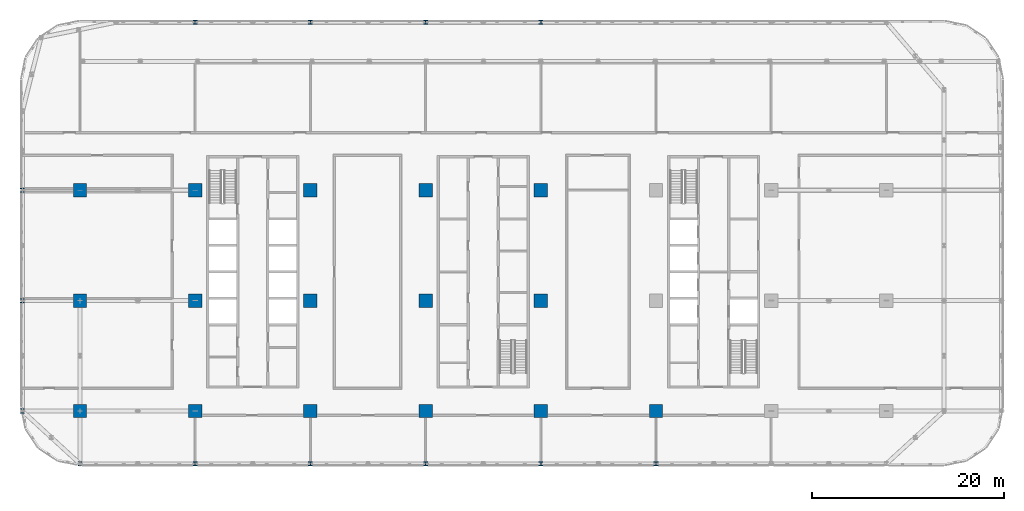
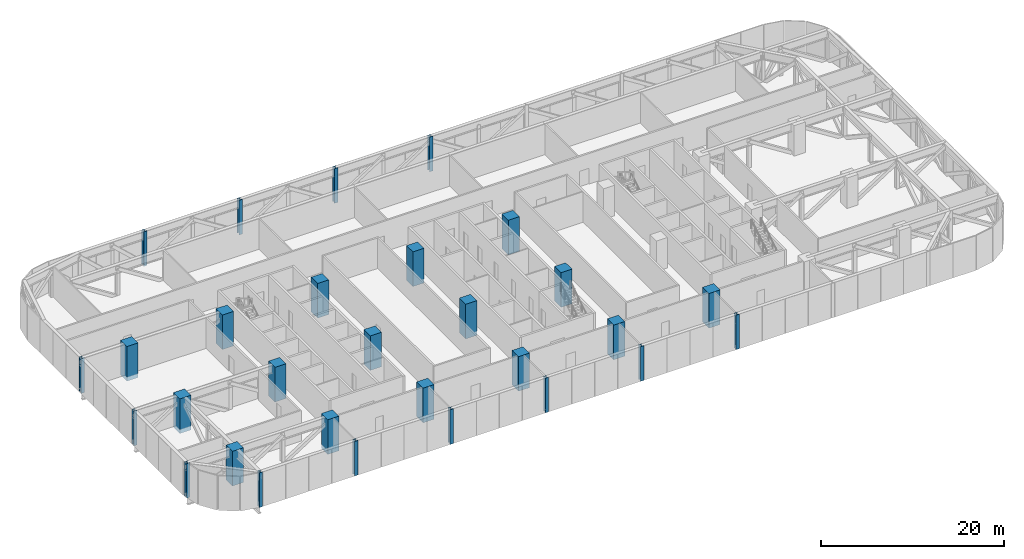
# One storey, part 1 of 26: 29 columns.
"""IFC4 building model written with IfcOpenShell, lengths in metres."""

from ifc_helpers import new_model, si_unit, direction, frame, origin, origin_2d, place, context, subcontext, project, spatial, rectangle, i_section, extrude, material, material_profile, profile_set, type_object, element, save


model = new_model("IFC4")

# Units and contexts
model_context = context("Model", 3, precision=1e-05, world=origin(), true_north=direction((0.0, 1.0)))
body_context = subcontext(model_context, "Body", "Model", "MODEL_VIEW")
ifc_project = project(units=[si_unit("LENGTHUNIT", "METRE"), si_unit("AREAUNIT", "SQUARE_METRE"), si_unit("VOLUMEUNIT", "CUBIC_METRE"), si_unit("PLANEANGLEUNIT", "RADIAN"), si_unit("MASSUNIT", "GRAM", prefix="KILO")], contexts=[model_context])

# Site, building, storey
site_placement = place(None, origin())
site = spatial("IfcSite", under=ifc_project, at=site_placement, CompositionType="ELEMENT")
building_placement = place(site_placement, origin())
building = spatial("IfcBuilding", under=site, at=building_placement, Name="Mahtab Terrace Research Tower", CompositionType="ELEMENT")
storey_placement = place(building_placement, frame((0.0, 0.0, 117.60009765625)))
storey = spatial("IfcBuildingStorey", under=building, at=storey_placement, Name="L27", CompositionType="ELEMENT", Elevation=117.60009765625)

# Columns
ifc_material_1 = material(Name="Concrete C70/85", Category="concrete")
ifc_material_profile_1 = material_profile(ifc_material_1, rectangle(XDim=1.39990234375, YDim=1.39990234375, at=origin_2d()), Name="RC column 1400x1400")
ifc_profile_set_1 = profile_set([ifc_material_profile_1], Name="Concrete C70/85")
column_type_1 = type_object("IfcColumnType", Name="RC column 1400x1400", PredefinedType="COLUMN", material=ifc_profile_set_1)
for number, where, z_axis, x_axis, name in (
    (1, (-42.0, -11.5, -0.550048828125), (0.0, 0.0, 1.0), (1.0, 0.0, 0.0), "Column RC-1A L27"),
    (2, (-42.0, 0.0, -0.550048828125), (0.0, 0.0, 1.0), (1.0, 0.0, 0.0), "Column RC-1B L27"),
    (3, (-42.0, 11.5, -0.550048828125), (0.0, 0.0, 1.0), (1.0, 0.0, 0.0), "Column RC-1C L27"),
    (4, (-30.0, -11.5, -0.550048828125), (0.0, 0.0, 1.0), (1.0, 0.0, 0.0), "Column RC-2A L27"),
    (5, (-30.0, 0.0, -0.550048828125), (0.0, 0.0, 1.0), (1.0, 0.0, 0.0), "Column RC-2B L27"),
    (6, (-30.0, 11.5, -0.550048828125), (0.0, 0.0, 1.0), (1.0, 0.0, 0.0), "Column RC-2C L27"),
    (7, (-18.0, -11.5, -0.550048828125), (0.0, 0.0, 1.0), (1.0, 0.0, 0.0), "Column RC-3A L27"),
    (8, (-18.0, 0.0, -0.550048828125), (0.0, 0.0, 1.0), (1.0, 0.0, 0.0), "Column RC-3B L27"),
    (9, (-18.0, 11.5, -0.550048828125), (0.0, 0.0, 1.0), (1.0, 0.0, 0.0), "Column RC-3C L27"),
    (10, (-6.0, -11.5, -0.550048828125), (0.0, 0.0, 1.0), (1.0, 0.0, 0.0), "Column RC-4A L27"),
    (11, (-6.0, 0.0, -0.550048828125), (0.0, 0.0, 1.0), (1.0, 0.0, 0.0), "Column RC-4B L27"),
    (12, (-6.0, 11.5, -0.550048828125), (0.0, 0.0, 1.0), (1.0, 0.0, 0.0), "Column RC-4C L27"),
    (13, (6.0, -11.5, -0.550048828125), (0.0, 0.0, 1.0), (1.0, 0.0, 0.0), "Column RC-5A L27"),
    (14, (6.0, 0.0, -0.550048828125), (0.0, 0.0, 1.0), (1.0, 0.0, 0.0), "Column RC-5B L27"),
    (15, (6.0, 11.5, -0.550048828125), (0.0, 0.0, 1.0), (1.0, 0.0, 0.0), "Column RC-5C L27"),
    (16, (18.0, -11.5, -0.550048828125), (0.0, 0.0, 1.0), (1.0, 0.0, 0.0), "Column RC-6A L27"),
):
    element("IfcColumn", number, at=place(storey_placement, frame(where, z_axis=z_axis, x_axis=x_axis)), inside=storey, type_object=column_type_1, Name=name, PredefinedType="COLUMN", context=body_context, shape_type="SweptSolid", body=[
        extrude(rectangle(XDim=1.39990234375, YDim=1.39990234375, at=origin_2d()), origin(), (0.0, 0.0, 1.0), 4.60986328125),
    ])
ifc_material_2 = material(Name="Steel ASTM A992 Gr 50", Category="steel")
ifc_material_profile_2 = material_profile(ifc_material_2, i_section(OverallWidth=0.41162109375, OverallDepth=0.434326171875, WebThickness=0.035888671875, FlangeThickness=0.057373046875, at=origin_2d()), Name="W14X311")
ifc_profile_set_2 = profile_set([ifc_material_profile_2], Name="Steel ASTM A992 Gr 50")
column_type_2 = type_object("IfcColumnType", Name="W14x311 column CS14311", PredefinedType="COLUMN", material=ifc_profile_set_2)
for number, where, z_axis, x_axis, name in (
    (17, (-48.0, 11.5, -0.550048828125), (0.0, 0.0, 1.0), (1.0, 0.0, 0.0), "Column SC-009 L27"),
    (18, (-48.0, 0.0, -0.550048828125), (0.0, 0.0, 1.0), (1.0, 0.0, 0.0), "Column SC-010 L27"),
    (19, (-48.0, -11.5, -0.550048828125), (0.0, 0.0, 1.0), (1.0, 0.0, 0.0), "Column SC-011 L27"),
    (20, (-42.0, -17.0, -0.550048828125), (0.0, 0.0, 1.0), (1.0, 0.0, 0.0), "Column SC-049 L27"),
):
    element("IfcColumn", number, at=place(storey_placement, frame(where, z_axis=z_axis, x_axis=x_axis)), inside=storey, type_object=column_type_2, Name=name, PredefinedType="COLUMN", context=body_context, shape_type="SweptSolid", body=[
        extrude(i_section(OverallWidth=0.41162109375, OverallDepth=0.434326171875, WebThickness=0.035888671875, FlangeThickness=0.057373046875, at=origin_2d()), origin(), (0.0, 0.0, 1.0), 4.60986328125),
    ])
ifc_material_profile_3 = material_profile(ifc_material_2, i_section(OverallWidth=0.419189453125, OverallDepth=0.45458984375, WebThickness=0.042236328125, FlangeThickness=0.067626953125, at=origin_2d()), Name="W14X370")
ifc_profile_set_3 = profile_set([ifc_material_profile_3], Name="Steel ASTM A992 Gr 50")
column_type_3 = type_object("IfcColumnType", Name="W14x370 column CS14370", PredefinedType="COLUMN", material=ifc_profile_set_3)
for number, where, z_axis, x_axis, name in (
    (21, (6.0, 29.0, -0.550048828125), (0.0, 0.0, 1.0), (1.0, 0.0, 0.0), "Column SC-034 L27"),
    (22, (-6.0, 29.0, -0.550048828125), (0.0, 0.0, 1.0), (1.0, 0.0, 0.0), "Column SC-035 L27"),
    (23, (-18.0, 29.0, -0.550048828125), (0.0, 0.0, 1.0), (1.0, 0.0, 0.0), "Column SC-036 L27"),
    (24, (-30.0, 29.0, -0.550048828125), (0.0, 0.0, 1.0), (1.0, 0.0, 0.0), "Column SC-037 L27"),
    (25, (-30.0, -17.0, -0.550048828125), (0.0, 0.0, 1.0), (1.0, 0.0, 0.0), "Column SC-039 L27"),
    (26, (-18.0, -17.0, -0.550048828125), (0.0, 0.0, 1.0), (1.0, 0.0, 0.0), "Column SC-040 L27"),
    (27, (-6.0, -17.0, -0.550048828125), (0.0, 0.0, 1.0), (1.0, 0.0, 0.0), "Column SC-041 L27"),
    (28, (6.0, -17.0, -0.550048828125), (0.0, 0.0, 1.0), (1.0, 0.0, 0.0), "Column SC-042 L27"),
    (29, (18.0, -17.0, -0.550048828125), (0.0, 0.0, 1.0), (1.0, 0.0, 0.0), "Column SC-043 L27"),
):
    element("IfcColumn", number, at=place(storey_placement, frame(where, z_axis=z_axis, x_axis=x_axis)), inside=storey, type_object=column_type_3, Name=name, PredefinedType="COLUMN", context=body_context, shape_type="SweptSolid", body=[
        extrude(i_section(OverallWidth=0.419189453125, OverallDepth=0.45458984375, WebThickness=0.042236328125, FlangeThickness=0.067626953125, at=origin_2d()), origin(), (0.0, 0.0, 1.0), 4.60986328125),
    ])

save(model, "model.ifc")
